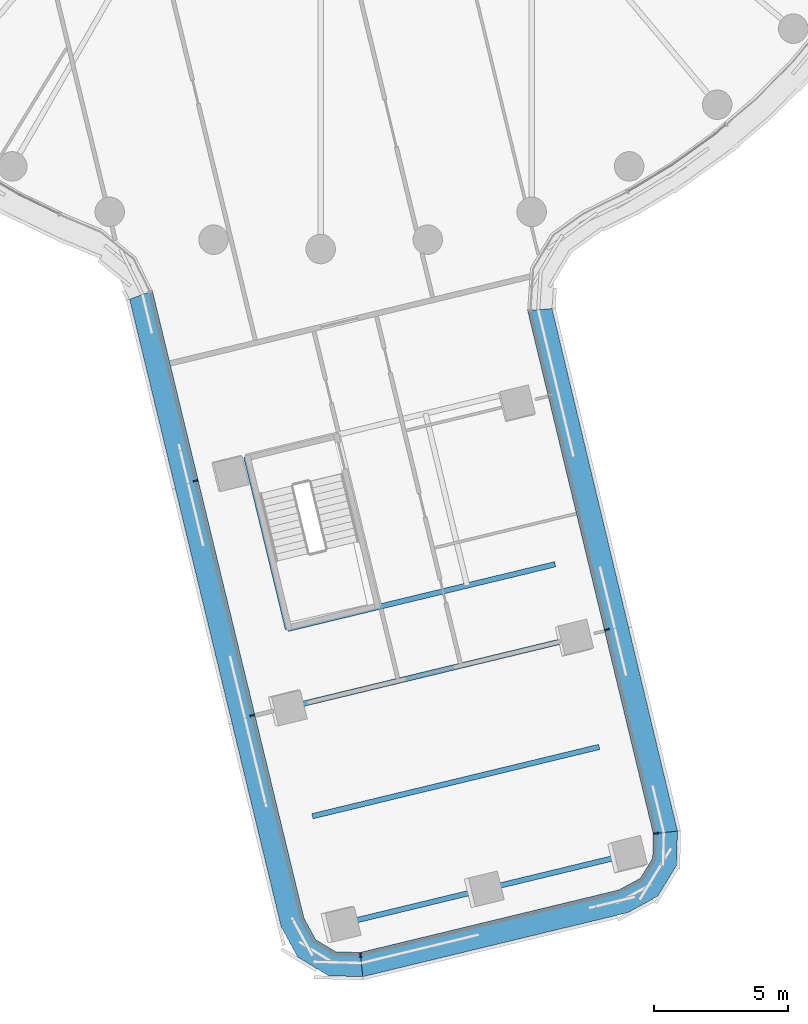
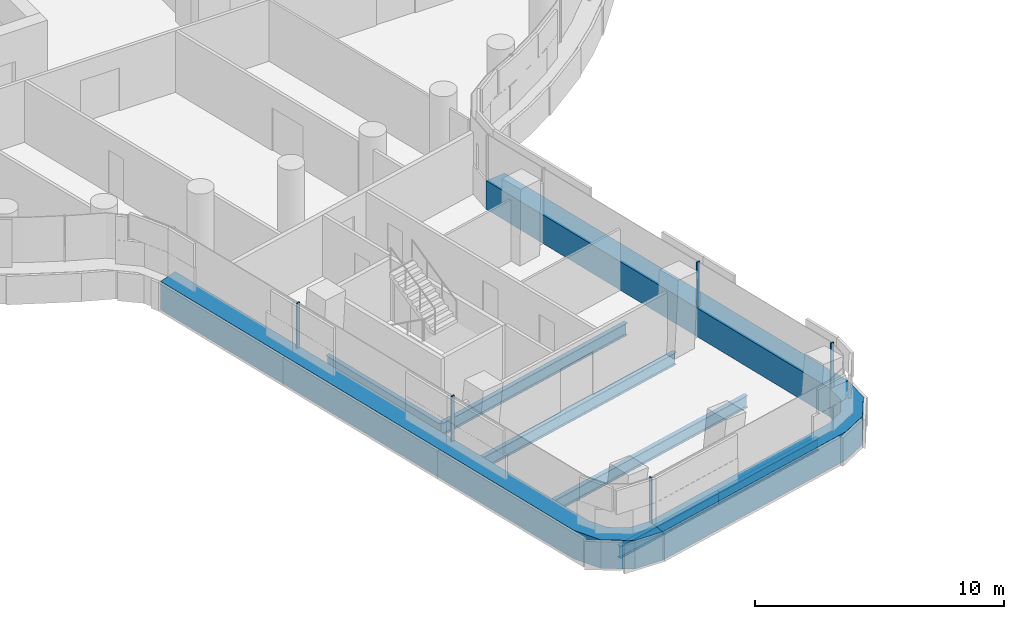
# One storey, part 2 of 33: 8 members, 6 beams, 3 elements without a shape of their own.
"""IFC4 building model written with IfcOpenShell, lengths in metres."""

from ifc_helpers import new_model, si_unit, direction, frame, origin, origin_2d, place, context, subcontext, project, spatial, polyline, rectangle, i_section, outline, extrude, material, layer, layer_set, material_profile, profile_set, type_object, element, aggregate, save


model = new_model("IFC4")

# Units and contexts
model_context = context("Model", 3, precision=1e-05, world=origin(), true_north=direction((0.0, 1.0)))
body_context = subcontext(model_context, "Body", "Model", "MODEL_VIEW")
ifc_project = project(units=[si_unit("LENGTHUNIT", "METRE"), si_unit("AREAUNIT", "SQUARE_METRE"), si_unit("VOLUMEUNIT", "CUBIC_METRE"), si_unit("PLANEANGLEUNIT", "RADIAN"), si_unit("MASSUNIT", "GRAM", prefix="KILO")], contexts=[model_context])

# Site, building, storey
site_placement = place(None, origin())
site = spatial("IfcSite", under=ifc_project, at=site_placement, CompositionType="ELEMENT")
building_placement = place(site_placement, origin())
building = spatial("IfcBuilding", under=site, at=building_placement, Name="Tamarind Cross Interchange Tower", CompositionType="ELEMENT")
storey_placement = place(building_placement, frame((0.0, 0.0, 83.5)))
storey = spatial("IfcBuildingStorey", under=building, at=storey_placement, Name="L19", CompositionType="ELEMENT", Elevation=83.5)

# Beams
ifc_material_1 = material(Name="Steel Q355B", Category="steel")
ifc_material_profile_1 = material_profile(ifc_material_1, i_section(OverallWidth=0.198974609375, OverallDepth=0.49609375, WebThickness=0.009033203125, FlangeThickness=0.013916015625, FilletRadius=0.012939453125, at=origin_2d()), Name="HN 496x199x9x14")
ifc_profile_set_1 = profile_set([ifc_material_profile_1], Name="Steel Q355B")
beam_type_1 = type_object("IfcBeamType", Name="Composite beam HN 496x199x9x14 Q355B", PredefinedType="BEAM", material=ifc_profile_set_1)
beam_1_placement = place(storey_placement, frame((-2.773681640625, -30.745849609375, -0.387939453125), z_axis=(0.234851455451, -0.972031272065, 0.0), x_axis=(0.972031272065, 0.234851455451, 0.0)))
element("IfcBeam", 1, at=beam_1_placement, inside=storey, type_object=beam_type_1, Name="Beam S-tr0", PredefinedType="BEAM", context=body_context, shape_type="SweptSolid", body=[
    extrude(i_section(OverallWidth=0.198974609375, OverallDepth=0.49609375, WebThickness=0.009033203125, FlangeThickness=0.013916015625, FilletRadius=0.012939453125, at=origin_2d()), origin(), (0.0, 0.0, 1.0), 6.60009765625),
])
ifc_material_profile_2 = material_profile(ifc_material_1, i_section(OverallWidth=0.199951171875, OverallDepth=0.60009765625, WebThickness=0.010986328125, FlangeThickness=0.01708984375, FilletRadius=0.012939453125, at=origin_2d()), Name="HN 600x200x11x17")
ifc_profile_set_2 = profile_set([ifc_material_profile_2], Name="Steel Q355B")
beam_type_2 = type_object("IfcBeamType", Name="Composite beam HN 600x200x11x17 Q355B", PredefinedType="BEAM", material=ifc_profile_set_2)
for number, where, z_axis, x_axis, name in (
    (2, (0.668701171875, -48.187744140625, -0.43994140625), (0.972038899902, 0.234819882203, 0.0), (-0.234819882203, 0.972038899902, 0.0), "Beam S-tip0"),
    (3, (6.014892578125, -46.896240234375, -0.43994140625), (0.972028767044, 0.234861823291, 0.0), (-0.234861823291, 0.972028767044, 0.0), "Beam S-tip1"),
):
    element("IfcBeam", number, at=place(storey_placement, frame(where, z_axis=z_axis, x_axis=x_axis)), inside=storey, type_object=beam_type_2, Name=name, PredefinedType="BEAM", context=body_context, shape_type="SweptSolid", body=[
        extrude(i_section(OverallWidth=0.199951171875, OverallDepth=0.60009765625, WebThickness=0.010986328125, FlangeThickness=0.01708984375, FilletRadius=0.012939453125, at=origin_2d()), origin(), (0.0, 0.0, 1.0), 5.5),
    ])
beam_2_placement = place(storey_placement, frame((-1.2236328125, -37.161376953125, -0.43994140625), z_axis=(0.9720316052, 0.23485007663, 0.0), x_axis=(-0.23485007663, 0.9720316052, 0.0)))
element("IfcBeam", 4, at=beam_2_placement, inside=storey, type_object=beam_type_2, Name="Beam S-x364", PredefinedType="BEAM", context=body_context, shape_type="SweptSolid", body=[
    extrude(i_section(OverallWidth=0.199951171875, OverallDepth=0.60009765625, WebThickness=0.010986328125, FlangeThickness=0.01708984375, FilletRadius=0.012939453125, at=origin_2d()), origin(), (0.0, 0.0, 1.0), 10.25),
])
for number, where, z_axis, x_axis, name in (
    (5, (-1.283447265625, -40.10791015625, -0.43994140625), (0.972028767044, 0.234861823291, 0.0), (-0.234861823291, 0.972028767044, 0.0), "Beam S-x393"),
    (6, (-0.307373046875, -44.147705078125, -0.43994140625), (0.972033833672, 0.234840852911, 0.0), (-0.234840852911, 0.972033833672, 0.0), "Beam S-x435"),
):
    element("IfcBeam", number, at=place(storey_placement, frame(where, z_axis=z_axis, x_axis=x_axis)), inside=storey, type_object=beam_type_2, Name=name, PredefinedType="BEAM", context=body_context, shape_type="SweptSolid", body=[
        extrude(i_section(OverallWidth=0.199951171875, OverallDepth=0.60009765625, WebThickness=0.010986328125, FlangeThickness=0.01708984375, FilletRadius=0.012939453125, at=origin_2d()), origin(), (0.0, 0.0, 1.0), 11.0),
    ])

# Curtain wall, member
ifc_material_2 = material(Name="Aluminium 6063-T6", Category="aluminium")
ifc_layer = layer(ifc_material_2, 0.159912109375)
ifc_layer_set = layer_set([ifc_layer], Name="Aluminium 6063-T6")
curtain_wall_type = type_object("IfcCurtainWallType", Name="Office curtain wall, 9.0 m bays", PredefinedType="NOTDEFINED", material=ifc_layer_set)
curtain_wall_1_placement = place(storey_placement, origin())
curtain_wall_1 = element("IfcCurtainWall", 7, at=curtain_wall_1_placement, inside=storey, type_object=curtain_wall_type, Name="CWS-L19-07", PredefinedType="NOTDEFINED")
ifc_material_3 = material(Name="Aluminium and insulated spandrel panel", Category="aluminium")
member_type_1 = type_object("IfcMemberType", Name="Floor-edge blade transom", PredefinedType="USERDEFINED", material=ifc_material_3)
member_1_placement = place(storey_placement, origin())
member_1 = element("IfcMember", 8, at=member_1_placement, type_object=member_type_1, Name="CWT-L19-07", ObjectType="TRANSOM", PredefinedType="USERDEFINED", context=body_context, shape_type="SweptSolid", body=[
    extrude(outline(polyline([(-6.2734375, -24.56298828125), (-0.62451171875, -47.945068359375), (-0.1865234375, -48.7490234375), (0.559814453125, -49.204833984375), (1.474853515625, -49.2275390625), (1.571044921875, -50.130126953125), (0.29638671875, -50.0986328125), (-0.861328125, -49.391357421875), (-1.471435546875, -48.271728515625), (-7.125244140625, -24.870361328125), (-6.2734375, -24.56298828125)])), origin(), (0.0, 0.0, 1.0), 1.39990234375),
])

curtain_wall_2_placement = place(storey_placement, origin())
curtain_wall_2 = element("IfcCurtainWall", 9, at=curtain_wall_2_placement, inside=storey, type_object=curtain_wall_type, Name="CWS-L19-08", PredefinedType="NOTDEFINED")
member_2_placement = place(storey_placement, origin())
member_2 = element("IfcMember", 10, at=member_2_placement, type_object=member_type_1, Name="CWT-L19-08", ObjectType="TRANSOM", PredefinedType="USERDEFINED", context=body_context, shape_type="SweptSolid", body=[
    extrude(outline(polyline([(1.474853515625, -49.2275390625), (11.118408203125, -46.897705078125), (11.92236328125, -46.459716796875), (12.378173828125, -45.71337890625), (12.40087890625, -44.798095703125), (13.303466796875, -44.702392578125), (13.27197265625, -45.976806640625), (12.564697265625, -47.134521484375), (11.445068359375, -47.74462890625), (1.571044921875, -50.130126953125), (1.474853515625, -49.2275390625)])), origin(), (0.0, 0.0, 1.0), 1.39990234375),
])

curtain_wall_3_placement = place(storey_placement, origin())
curtain_wall_3 = element("IfcCurtainWall", 11, at=curtain_wall_3_placement, inside=storey, type_object=curtain_wall_type, Name="CWS-L19-09", PredefinedType="NOTDEFINED")
member_3_placement = place(storey_placement, origin())
member_3 = element("IfcMember", 12, at=member_3_placement, type_object=member_type_1, Name="CWT-L19-09", ObjectType="TRANSOM", PredefinedType="USERDEFINED", context=body_context, shape_type="SweptSolid", body=[
    extrude(outline(polyline([(12.40087890625, -44.798095703125), (7.717041015625, -25.29736328125), (8.6240234375, -25.22021484375), (13.303466796875, -44.702392578125), (12.40087890625, -44.798095703125)])), origin(), (0.0, 0.0, 1.0), 1.39990234375),
])

# Member
ifc_material_profile_3 = material_profile(ifc_material_2, rectangle(XDim=0.06005859375, YDim=0.159912109375, at=origin_2d()), Name="Mullion CW1")
ifc_profile_set_3 = profile_set([ifc_material_profile_3], Name="Aluminium 6063-T6")
member_type_2 = type_object("IfcMemberType", Name="Mullion CW1", PredefinedType="MULLION", material=ifc_profile_set_3)
member_4_placement = place(storey_placement, frame((-4.666015625, -31.642333984375, 1.39990234375), z_axis=(0.0, 0.0, 1.0), x_axis=(0.234843537027, -0.972033185193, 0.0)))
member_4 = element("IfcMember", 13, at=member_4_placement, type_object=member_type_2, Name="CWM-L19-07-01", PredefinedType="MULLION", context=body_context, shape_type="SweptSolid", body=[
    extrude(rectangle(XDim=0.06005859375, YDim=0.159912109375, at=origin_2d()), origin(), (0.0, 0.0, 1.0), 2.210205078125),
])

member_5_placement = place(storey_placement, frame((-2.552978515625, -40.388916015625, 1.39990234375), z_axis=(0.0, 0.0, 1.0), x_axis=(0.234843537027, -0.972033185193, 0.0)))
member_5 = element("IfcMember", 14, at=member_5_placement, type_object=member_type_2, Name="CWM-L19-07-02", PredefinedType="MULLION", context=body_context, shape_type="SweptSolid", body=[
    extrude(rectangle(XDim=0.06005859375, YDim=0.159912109375, at=origin_2d()), origin(), (0.0, 0.0, 1.0), 2.210205078125),
])

aggregate(curtain_wall_1, [member_4, member_5, member_1])

member_6_placement = place(storey_placement, frame((1.485595703125, -49.327880859375, 1.39990234375), z_axis=(0.0, 0.0, 1.0), x_axis=(0.9943705392, 0.105958627638, 0.0)))
member_6 = element("IfcMember", 15, at=member_6_placement, type_object=member_type_2, Name="CWM-L19-08-00", PredefinedType="MULLION", context=body_context, shape_type="SweptSolid", body=[
    extrude(rectangle(XDim=0.06005859375, YDim=0.159912109375, at=origin_2d()), origin(), (0.0, 0.0, 1.0), 2.210205078125),
])

aggregate(curtain_wall_2, [member_6, member_2])

member_7_placement = place(storey_placement, frame((12.501220703125, -44.787353515625, 1.39990234375), z_axis=(0.0, 0.0, 1.0), x_axis=(-0.105294104386, 0.994441125247, 0.0)))
member_7 = element("IfcMember", 16, at=member_7_placement, type_object=member_type_2, Name="CWM-L19-09-00", PredefinedType="MULLION", context=body_context, shape_type="SweptSolid", body=[
    extrude(rectangle(XDim=0.06005859375, YDim=0.159912109375, at=origin_2d()), origin(), (0.0, 0.0, 1.0), 2.210205078125),
])

member_8_placement = place(storey_placement, frame((10.67626953125, -37.189453125, 1.39990234375), z_axis=(0.0, 0.0, 1.0), x_axis=(-0.233544182771, 0.972346190764, 0.0)))
member_8 = element("IfcMember", 17, at=member_8_placement, type_object=member_type_2, Name="CWM-L19-09-01", PredefinedType="MULLION", context=body_context, shape_type="SweptSolid", body=[
    extrude(rectangle(XDim=0.06005859375, YDim=0.159912109375, at=origin_2d()), origin(), (0.0, 0.0, 1.0), 2.210205078125),
])

aggregate(curtain_wall_3, [member_7, member_8, member_3])

save(model, "model.ifc")
